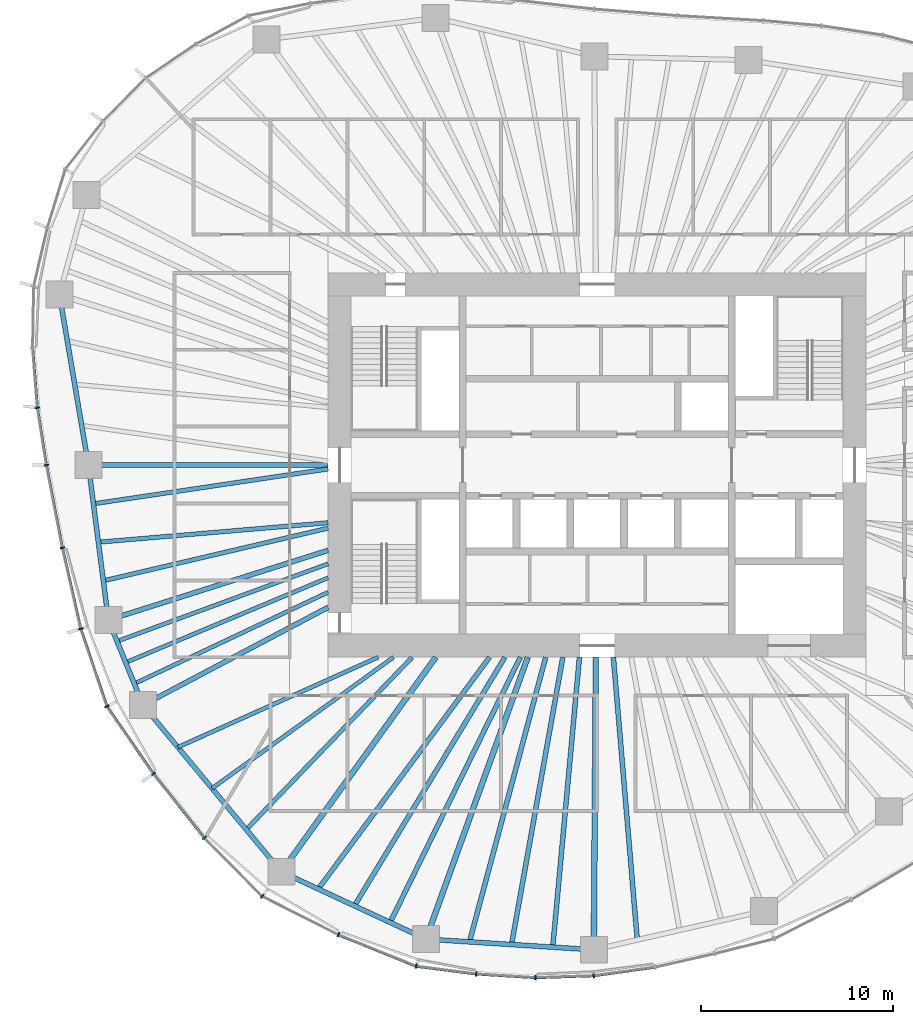
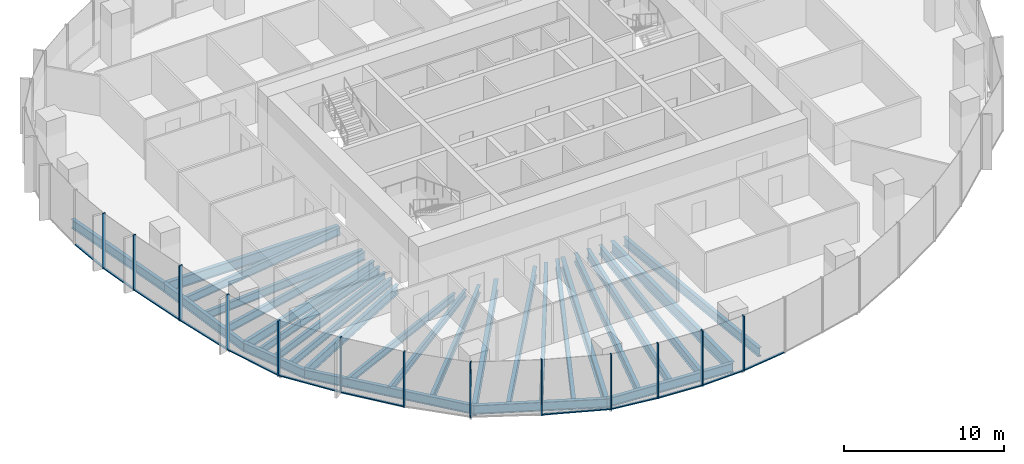
# One storey, part 2 of 18: 28 beams, 25 members, 7 elements without a shape of their own.
"""IFC4 building model written with IfcOpenShell, lengths in metres."""

from ifc_helpers import new_model, si_unit, direction, frame, origin, origin_2d, place, context, subcontext, project, spatial, rectangle, i_section, extrude, material, material_profile, profile_set, type_object, element, aggregate, save


model = new_model("IFC4")

# Units and contexts
model_context = context("Model", 3, precision=1e-05, world=origin(), true_north=direction((0.0, 1.0)))
body_context = subcontext(model_context, "Body", "Model", "MODEL_VIEW")
ifc_project = project(units=[si_unit("LENGTHUNIT", "METRE"), si_unit("AREAUNIT", "SQUARE_METRE"), si_unit("VOLUMEUNIT", "CUBIC_METRE"), si_unit("PLANEANGLEUNIT", "RADIAN"), si_unit("MASSUNIT", "GRAM", prefix="KILO")], contexts=[model_context])

# Site, building, storey
site_placement = place(None, origin())
site = spatial("IfcSite", under=ifc_project, at=site_placement, CompositionType="ELEMENT")
building_placement = place(site_placement, origin())
building = spatial("IfcBuilding", under=site, at=building_placement, Name="Ghaith Harvest Tower", CompositionType="ELEMENT")
storey_placement = place(building_placement, frame((0.0, 0.0, 168.0)))
storey = spatial("IfcBuildingStorey", under=building, at=storey_placement, Name="L36", CompositionType="ELEMENT", Elevation=168.0)

# Curtain wall, member
ifc_material_1 = material(Name="Black anodised aluminium and fritted glass", Category="aluminium")
curtain_wall_type = type_object("IfcCurtainWallType", Name="CW-L CURTAIN WALL", PredefinedType="NOTDEFINED", material=ifc_material_1)
curtain_wall_1_placement = place(storey_placement, origin())
curtain_wall_1 = element("IfcCurtainWall", 1, at=curtain_wall_1_placement, inside=storey, type_object=curtain_wall_type, Name="Curtain wall CW-L bay 10 L36", PredefinedType="NOTDEFINED")
ifc_material_2 = material(Name="Aluminium, black anodised", Category="aluminium")
ifc_material_profile_1 = material_profile(ifc_material_2, rectangle(XDim=0.080078125, YDim=0.239990234375, at=origin_2d()), Name="CW-L MULLION 80x240")
ifc_profile_set_1 = profile_set([ifc_material_profile_1], Name="Aluminium, black anodised")
member_type_1 = type_object("IfcMemberType", Name="CW-L MULLION 80x240", PredefinedType="MULLION", material=ifc_profile_set_1)
member_1_placement = place(storey_placement, frame((-29.131103515625, 2.990478515625, 0.0), z_axis=(0.0, 0.0, 1.0), x_axis=(0.116763791346, -0.993159713757, 0.0)))
member_1 = element("IfcMember", 2, at=member_1_placement, type_object=member_type_1, Name="CW-L mullion 3 bay 10 L36", PredefinedType="MULLION", context=body_context, shape_type="SweptSolid", body=[
    extrude(rectangle(XDim=0.080078125, YDim=0.239990234375, at=origin_2d()), origin(), (0.0, 0.0, 1.0), 4.199951171875),
])

# Curtain wall, members
curtain_wall_2_placement = place(storey_placement, origin())
curtain_wall_2 = element("IfcCurtainWall", 3, at=curtain_wall_2_placement, inside=storey, type_object=curtain_wall_type, Name="Curtain wall CW-L bay 11 L36", PredefinedType="NOTDEFINED")
member_2_placement = place(storey_placement, frame((-28.6611328125, 0.0, 0.0), z_axis=(0.0, 0.0, 1.0), x_axis=(0.175827209372, -0.984421044292, 0.0)))
member_2 = element("IfcMember", 4, at=member_2_placement, type_object=member_type_1, Name="CW-L mullion 1 bay 11 L36", PredefinedType="MULLION", context=body_context, shape_type="SweptSolid", body=[
    extrude(rectangle(XDim=0.080078125, YDim=0.239990234375, at=origin_2d()), origin(), (0.0, 0.0, 1.0), 4.199951171875),
])
member_3_placement = place(storey_placement, frame((-27.828125, -4.30419921875, 0.0), z_axis=(0.0, 0.0, 1.0), x_axis=(0.205176300018, -0.978725030798, 0.0)))
member_3 = element("IfcMember", 5, at=member_3_placement, type_object=member_type_1, Name="CW-L mullion 2 bay 11 L36", PredefinedType="MULLION", context=body_context, shape_type="SweptSolid", body=[
    extrude(rectangle(XDim=0.080078125, YDim=0.239990234375, at=origin_2d()), origin(), (0.0, 0.0, 1.0), 4.199951171875),
])

curtain_wall_3_placement = place(storey_placement, origin())
curtain_wall_3 = element("IfcCurtainWall", 6, at=curtain_wall_3_placement, inside=storey, type_object=curtain_wall_type, Name="Curtain wall CW-L bay 12 L36", PredefinedType="NOTDEFINED")
member_4_placement = place(storey_placement, frame((-26.875732421875, -8.517333984375, 0.0), z_axis=(0.0, 0.0, 1.0), x_axis=(0.270018818005, -0.962855045125, 0.0)))
member_4 = element("IfcMember", 7, at=member_4_placement, type_object=member_type_1, Name="CW-L mullion 1 bay 12 L36", PredefinedType="MULLION", context=body_context, shape_type="SweptSolid", body=[
    extrude(rectangle(XDim=0.080078125, YDim=0.239990234375, at=origin_2d()), origin(), (0.0, 0.0, 1.0), 4.199951171875),
])
member_5_placement = place(storey_placement, frame((-25.513427734375, -12.55810546875, 0.0), z_axis=(0.0, 0.0, 1.0), x_axis=(0.448267068681, -0.893899678452, 0.0)))
member_5 = element("IfcMember", 8, at=member_5_placement, type_object=member_type_1, Name="CW-L mullion 2 bay 12 L36", PredefinedType="MULLION", context=body_context, shape_type="SweptSolid", body=[
    extrude(rectangle(XDim=0.080078125, YDim=0.239990234375, at=origin_2d()), origin(), (0.0, 0.0, 1.0), 4.199951171875),
])

curtain_wall_4_placement = place(storey_placement, origin())
curtain_wall_4 = element("IfcCurtainWall", 9, at=curtain_wall_4_placement, inside=storey, type_object=curtain_wall_type, Name="Curtain wall CW-L bay 13 L36", PredefinedType="NOTDEFINED")
member_6_placement = place(storey_placement, frame((-23.090087890625, -16.066162109375, 0.0), z_axis=(0.0, 0.0, 1.0), x_axis=(0.595740202191, -0.803177198066, 0.0)))
member_6 = element("IfcMember", 10, at=member_6_placement, type_object=member_type_1, Name="CW-L mullion 1 bay 13 L36", PredefinedType="MULLION", context=body_context, shape_type="SweptSolid", body=[
    extrude(rectangle(XDim=0.080078125, YDim=0.239990234375, at=origin_2d()), origin(), (0.0, 0.0, 1.0), 4.199951171875),
])
member_7_placement = place(storey_placement, frame((-20.441162109375, -19.396728515625, 0.0), z_axis=(0.0, 0.0, 1.0), x_axis=(0.663764675537, -0.747941478666, 0.0)))
member_7 = element("IfcMember", 11, at=member_7_placement, type_object=member_type_1, Name="CW-L mullion 2 bay 13 L36", PredefinedType="MULLION", context=body_context, shape_type="SweptSolid", body=[
    extrude(rectangle(XDim=0.080078125, YDim=0.239990234375, at=origin_2d()), origin(), (0.0, 0.0, 1.0), 4.199951171875),
])

curtain_wall_5_placement = place(storey_placement, origin())
curtain_wall_5 = element("IfcCurtainWall", 12, at=curtain_wall_5_placement, inside=storey, type_object=curtain_wall_type, Name="Curtain wall CW-L bay 14 L36", PredefinedType="NOTDEFINED")
member_8_placement = place(storey_placement, frame((-17.430419921875, -22.443603515625, 0.0), z_axis=(0.0, 0.0, 1.0), x_axis=(0.810339399222, -0.585960799089, 0.0)))
member_8 = element("IfcMember", 13, at=member_8_placement, type_object=member_type_1, Name="CW-L mullion 1 bay 14 L36", PredefinedType="MULLION", context=body_context, shape_type="SweptSolid", body=[
    extrude(rectangle(XDim=0.080078125, YDim=0.239990234375, at=origin_2d()), origin(), (0.0, 0.0, 1.0), 4.199951171875),
])
member_9_placement = place(storey_placement, frame((-13.463134765625, -24.4423828125, 0.0), z_axis=(0.0, 0.0, 1.0), x_axis=(0.910648017946, -0.413182995066, 0.0)))
member_9 = element("IfcMember", 14, at=member_9_placement, type_object=member_type_1, Name="CW-L mullion 2 bay 14 L36", PredefinedType="MULLION", context=body_context, shape_type="SweptSolid", body=[
    extrude(rectangle(XDim=0.080078125, YDim=0.239990234375, at=origin_2d()), origin(), (0.0, 0.0, 1.0), 4.199951171875),
])

curtain_wall_6_placement = place(storey_placement, origin())
curtain_wall_6 = element("IfcCurtainWall", 15, at=curtain_wall_6_placement, inside=storey, type_object=curtain_wall_type, Name="Curtain wall CW-L bay 15 L36", PredefinedType="NOTDEFINED")
member_10_placement = place(storey_placement, frame((-9.4189453125, -26.07861328125, 0.0), z_axis=(0.0, 0.0, 1.0), x_axis=(0.961788606004, -0.273793128768, 0.0)))
member_10 = element("IfcMember", 16, at=member_10_placement, type_object=member_type_1, Name="CW-L mullion 1 bay 15 L36", PredefinedType="MULLION", context=body_context, shape_type="SweptSolid", body=[
    extrude(rectangle(XDim=0.080078125, YDim=0.239990234375, at=origin_2d()), origin(), (0.0, 0.0, 1.0), 4.199951171875),
])
member_11_placement = place(storey_placement, frame((-6.29443359375, -26.483154296875, 0.0), z_axis=(0.0, 0.0, 1.0), x_axis=(0.995389243171, -0.095917957546, 0.0)))
member_11 = element("IfcMember", 17, at=member_11_placement, type_object=member_type_1, Name="CW-L mullion 2 bay 15 L36", PredefinedType="MULLION", context=body_context, shape_type="SweptSolid", body=[
    extrude(rectangle(XDim=0.080078125, YDim=0.239990234375, at=origin_2d()), origin(), (0.0, 0.0, 1.0), 4.199951171875),
])
member_12_placement = place(storey_placement, frame((-3.21923828125, -26.676025390625, 0.0), z_axis=(0.0, 0.0, 1.0), x_axis=(0.999890531495, -0.014796115241, 0.0)))
member_12 = element("IfcMember", 18, at=member_12_placement, type_object=member_type_1, Name="CW-L mullion 3 bay 15 L36", PredefinedType="MULLION", context=body_context, shape_type="SweptSolid", body=[
    extrude(rectangle(XDim=0.080078125, YDim=0.239990234375, at=origin_2d()), origin(), (0.0, 0.0, 1.0), 4.199951171875),
])

# Curtain wall, member
curtain_wall_7_placement = place(storey_placement, origin())
curtain_wall_7 = element("IfcCurtainWall", 19, at=curtain_wall_7_placement, inside=storey, type_object=curtain_wall_type, Name="Curtain wall CW-L bay 16 L36", PredefinedType="NOTDEFINED")
member_13_placement = place(storey_placement, frame((-0.181884765625, -26.57373046875, 0.0), z_axis=(0.0, 0.0, 1.0), x_axis=(0.996169227662, 0.087446382772, 0.0)))
member_13 = element("IfcMember", 20, at=member_13_placement, type_object=member_type_1, Name="CW-L mullion 1 bay 16 L36", PredefinedType="MULLION", context=body_context, shape_type="SweptSolid", body=[
    extrude(rectangle(XDim=0.080078125, YDim=0.239990234375, at=origin_2d()), origin(), (0.0, 0.0, 1.0), 4.199951171875),
])

# Member
ifc_material_3 = material(Name="Aluminium, black anodised", Category="aluminium")
ifc_material_profile_2 = material_profile(ifc_material_3, rectangle(XDim=0.14990234375, YDim=0.080078125, at=origin_2d()), Name="CW-L TRANSOM 150x80")
ifc_profile_set_2 = profile_set([ifc_material_profile_2], Name="Aluminium, black anodised")
member_type_2 = type_object("IfcMemberType", Name="CW-L TRANSOM 150x80", PredefinedType="USERDEFINED", material=ifc_profile_set_2)
member_14_placement = place(storey_placement, frame((-29.374755859375, 6.05615234375, 0.0400390625), z_axis=(0.079230491279, -0.996856323274, 0.0), x_axis=(0.996856323274, 0.079230491279, 0.0)))
member_14 = element("IfcMember", 21, at=member_14_placement, type_object=member_type_2, Name="CW-L transom 2 bay 10 L36", ObjectType="TRANSOM", PredefinedType="USERDEFINED", context=body_context, shape_type="SweptSolid", body=[
    extrude(rectangle(XDim=0.14990234375, YDim=0.080078125, at=origin_2d()), origin(), (0.0, 0.0, 1.0), 3.03515625),
])

member_15_placement = place(storey_placement, frame((-29.124755859375, 2.951171875, 0.0400390625), z_axis=(0.155150065502, -0.987890913601, 0.0), x_axis=(0.987890913601, 0.155150065502, 0.0)))
member_15 = element("IfcMember", 22, at=member_15_placement, type_object=member_type_2, Name="CW-L transom 3 bay 10 L36", ObjectType="TRANSOM", PredefinedType="USERDEFINED", context=body_context, shape_type="SweptSolid", body=[
    extrude(rectangle(XDim=0.14990234375, YDim=0.080078125, at=origin_2d()), origin(), (0.0, 0.0, 1.0), 2.947265625),
])

aggregate(curtain_wall_1, [member_14, member_1, member_15])

member_16_placement = place(storey_placement, frame((-28.653564453125, -0.039306640625, 0.0400390625), z_axis=(0.190025434036, -0.981779167848, 0.0), x_axis=(0.981779167848, 0.190025434036, 0.0)))
member_16 = element("IfcMember", 23, at=member_16_placement, type_object=member_type_2, Name="CW-L transom 1 bay 11 L36", ObjectType="TRANSOM", PredefinedType="USERDEFINED", context=body_context, shape_type="SweptSolid", body=[
    extrude(rectangle(XDim=0.14990234375, YDim=0.080078125, at=origin_2d()), origin(), (0.0, 0.0, 1.0), 4.303955078125),
])

member_17_placement = place(storey_placement, frame((-27.8193359375, -4.34326171875, 0.0400390625), z_axis=(0.220508326041, -0.975385092231, 0.0), x_axis=(0.975385092231, 0.220508326041, 0.0)))
member_17 = element("IfcMember", 24, at=member_17_placement, type_object=member_type_2, Name="CW-L transom 2 bay 11 L36", ObjectType="TRANSOM", PredefinedType="USERDEFINED", context=body_context, shape_type="SweptSolid", body=[
    extrude(rectangle(XDim=0.14990234375, YDim=0.080078125, at=origin_2d()), origin(), (0.0, 0.0, 1.0), 4.2392578125),
])

aggregate(curtain_wall_2, [member_2, member_16, member_3, member_17])

member_18_placement = place(storey_placement, frame((-26.863037109375, -8.55517578125, 0.0400390625), z_axis=(0.319499057133, -0.947586593664, 0.0), x_axis=(0.947586593664, 0.319499057133, 0.0)))
member_18 = element("IfcMember", 25, at=member_18_placement, type_object=member_type_2, Name="CW-L transom 1 bay 12 L36", ObjectType="TRANSOM", PredefinedType="USERDEFINED", context=body_context, shape_type="SweptSolid", body=[
    extrude(rectangle(XDim=0.14990234375, YDim=0.080078125, at=origin_2d()), origin(), (0.0, 0.0, 1.0), 4.184326171875),
])

member_19_placement = place(storey_placement, frame((-25.49072265625, -12.591064453125, 0.0400390625), z_axis=(0.568360052499, -0.822779952796, 0.0), x_axis=(0.822779952796, 0.568360052499, 0.0)))
member_19 = element("IfcMember", 26, at=member_19_placement, type_object=member_type_2, Name="CW-L transom 2 bay 12 L36", ObjectType="TRANSOM", PredefinedType="USERDEFINED", context=body_context, shape_type="SweptSolid", body=[
    extrude(rectangle(XDim=0.14990234375, YDim=0.080078125, at=origin_2d()), origin(), (0.0, 0.0, 1.0), 4.183837890625),
])

aggregate(curtain_wall_3, [member_4, member_18, member_5, member_19])

member_20_placement = place(storey_placement, frame((-23.065185546875, -16.09765625, 0.0400390625), z_axis=(0.622510542814, -0.782611413209, 0.0), x_axis=(0.782611413209, 0.622510542814, 0.0)))
member_20 = element("IfcMember", 27, at=member_20_placement, type_object=member_type_2, Name="CW-L transom 1 bay 13 L36", ObjectType="TRANSOM", PredefinedType="USERDEFINED", context=body_context, shape_type="SweptSolid", body=[
    extrude(rectangle(XDim=0.14990234375, YDim=0.080078125, at=origin_2d()), origin(), (0.0, 0.0, 1.0), 4.17529296875),
])

aggregate(curtain_wall_4, [member_6, member_20, member_7])

member_21_placement = place(storey_placement, frame((-13.426025390625, -24.45751953125, 0.0400390625), z_axis=(0.92700297754, -0.375053968959, 0.0), x_axis=(0.375053968959, 0.92700297754, 0.0)))
member_21 = element("IfcMember", 28, at=member_21_placement, type_object=member_type_2, Name="CW-L transom 2 bay 14 L36", ObjectType="TRANSOM", PredefinedType="USERDEFINED", context=body_context, shape_type="SweptSolid", body=[
    extrude(rectangle(XDim=0.14990234375, YDim=0.080078125, at=origin_2d()), origin(), (0.0, 0.0, 1.0), 4.282470703125),
])

aggregate(curtain_wall_5, [member_8, member_9, member_21])

member_22_placement = place(storey_placement, frame((-9.37939453125, -26.083740234375, 0.0400390625), z_axis=(0.991722765635, -0.128397648429, 0.0), x_axis=(0.128397648429, 0.991722765635, 0.0)))
member_22 = element("IfcMember", 29, at=member_22_placement, type_object=member_type_2, Name="CW-L transom 1 bay 15 L36", ObjectType="TRANSOM", PredefinedType="USERDEFINED", context=body_context, shape_type="SweptSolid", body=[
    extrude(rectangle(XDim=0.14990234375, YDim=0.080078125, at=origin_2d()), origin(), (0.0, 0.0, 1.0), 3.07080078125),
])

member_23_placement = place(storey_placement, frame((-6.25439453125, -26.485595703125, 0.0400390625), z_axis=(0.998036402434, -0.062636566132, 0.0), x_axis=(0.062636566132, 0.998036402434, 0.0)))
member_23 = element("IfcMember", 30, at=member_23_placement, type_object=member_type_2, Name="CW-L transom 2 bay 15 L36", ObjectType="TRANSOM", PredefinedType="USERDEFINED", context=body_context, shape_type="SweptSolid", body=[
    extrude(rectangle(XDim=0.14990234375, YDim=0.080078125, at=origin_2d()), origin(), (0.0, 0.0, 1.0), 3.001220703125),
])

member_24_placement = place(storey_placement, frame((-3.17919921875, -26.6748046875, 0.0400390625), z_axis=(0.999430436664, 0.033746144522, 0.0), x_axis=(-0.033746144522, 0.999430436664, 0.0)))
member_24 = element("IfcMember", 31, at=member_24_placement, type_object=member_type_2, Name="CW-L transom 3 bay 15 L36", ObjectType="TRANSOM", PredefinedType="USERDEFINED", context=body_context, shape_type="SweptSolid", body=[
    extrude(rectangle(XDim=0.14990234375, YDim=0.080078125, at=origin_2d()), origin(), (0.0, 0.0, 1.0), 2.958984375),
])

aggregate(curtain_wall_6, [member_10, member_22, member_11, member_23, member_12, member_24])

member_25_placement = place(storey_placement, frame((-0.142333984375, -26.568115234375, 0.0400390625), z_axis=(0.990446640965, 0.137896524254, 0.0), x_axis=(-0.137896524254, 0.990446640965, 0.0)))
member_25 = element("IfcMember", 32, at=member_25_placement, type_object=member_type_2, Name="CW-L transom 1 bay 16 L36", ObjectType="TRANSOM", PredefinedType="USERDEFINED", context=body_context, shape_type="SweptSolid", body=[
    extrude(rectangle(XDim=0.14990234375, YDim=0.080078125, at=origin_2d()), origin(), (0.0, 0.0, 1.0), 3.142578125),
])

aggregate(curtain_wall_7, [member_13, member_25])

# Beams
ifc_material_4 = material(Name="Steel ASTM A992 Grade 50", Category="steel")
ifc_material_profile_3 = material_profile(ifc_material_4, i_section(OverallWidth=0.25390625, OverallDepth=0.68408203125, WebThickness=0.012451171875, FlangeThickness=0.018798828125, at=origin_2d()), Name="W690X140")
ifc_profile_set_3 = profile_set([ifc_material_profile_3], Name="Steel ASTM A992 Grade 50")
beam_type_1 = type_object("IfcBeamType", Name="E690-140 W690X140", PredefinedType="SPANDREL", material=ifc_profile_set_3)
beam_1_placement = place(storey_placement, frame((-27.98291015625, 8.867919921875, -0.511962890625), z_axis=(0.167624246844, -0.985850958244, 0.0), x_axis=(0.985850958244, 0.167624246844, 0.0)))
element("IfcBeam", 33, at=beam_1_placement, inside=storey, type_object=beam_type_1, Name="Edge beam E10 L36", PredefinedType="SPANDREL", context=body_context, shape_type="SweptSolid", body=[
    extrude(i_section(OverallWidth=0.25390625, OverallDepth=0.68408203125, WebThickness=0.012451171875, FlangeThickness=0.018798828125, at=origin_2d()), origin(), (0.0, 0.0, 1.0), 8.9951171875),
])
beam_2_placement = place(storey_placement, frame((-26.47509765625, 0.0, -0.511962890625), z_axis=(0.127841715048, -0.991794583517, 0.0), x_axis=(0.991794583517, 0.127841715048, 0.0)))
element("IfcBeam", 34, at=beam_2_placement, inside=storey, type_object=beam_type_1, Name="Edge beam E11 L36", PredefinedType="SPANDREL", context=body_context, shape_type="SweptSolid", body=[
    extrude(i_section(OverallWidth=0.25390625, OverallDepth=0.68408203125, WebThickness=0.012451171875, FlangeThickness=0.018798828125, at=origin_2d()), origin(), (0.0, 0.0, 1.0), 8.127685546875),
])
beam_3_placement = place(storey_placement, frame((-25.43603515625, -8.06103515625, -0.511962890625), z_axis=(0.376479712052, -0.9264248628, 0.0), x_axis=(0.9264248628, 0.376479712052, 0.0)))
element("IfcBeam", 35, at=beam_3_placement, inside=storey, type_object=beam_type_1, Name="Edge beam E12 L36", PredefinedType="SPANDREL", context=body_context, shape_type="SweptSolid", body=[
    extrude(i_section(OverallWidth=0.25390625, OverallDepth=0.68408203125, WebThickness=0.012451171875, FlangeThickness=0.018798828125, at=origin_2d()), origin(), (0.0, 0.0, 1.0), 4.783935546875),
])
beam_4_placement = place(storey_placement, frame((-23.635009765625, -12.492919921875, -0.511962890625), z_axis=(0.638719320052, -0.769439815835, 0.0), x_axis=(0.769439815835, 0.638719320052, 0.0)))
element("IfcBeam", 36, at=beam_4_placement, inside=storey, type_object=beam_type_1, Name="Edge beam E13 L36", PredefinedType="SPANDREL", context=body_context, shape_type="SweptSolid", body=[
    extrude(i_section(OverallWidth=0.25390625, OverallDepth=0.68408203125, WebThickness=0.012451171875, FlangeThickness=0.018798828125, at=origin_2d()), origin(), (0.0, 0.0, 1.0), 11.26953125),
])
beam_5_placement = place(storey_placement, frame((-16.43701171875, -21.1640625, -0.511962890625), z_axis=(0.906607079462, -0.421975832802, 0.0), x_axis=(0.421975832802, 0.906607079462, 0.0)))
element("IfcBeam", 37, at=beam_5_placement, inside=storey, type_object=beam_type_1, Name="Edge beam E14 L36", PredefinedType="SPANDREL", context=body_context, shape_type="SweptSolid", body=[
    extrude(i_section(OverallWidth=0.25390625, OverallDepth=0.68408203125, WebThickness=0.012451171875, FlangeThickness=0.018798828125, at=origin_2d()), origin(), (0.0, 0.0, 1.0), 8.303466796875),
])
beam_6_placement = place(storey_placement, frame((-8.908935546875, -24.66796875, -0.511962890625), z_axis=(0.99797963184, -0.063534671101, 0.0), x_axis=(0.063534671101, 0.99797963184, 0.0)))
element("IfcBeam", 38, at=beam_6_placement, inside=storey, type_object=beam_type_1, Name="Edge beam E15 L36", PredefinedType="SPANDREL", context=body_context, shape_type="SweptSolid", body=[
    extrude(i_section(OverallWidth=0.25390625, OverallDepth=0.68408203125, WebThickness=0.012451171875, FlangeThickness=0.018798828125, at=origin_2d()), origin(), (0.0, 0.0, 1.0), 8.75341796875),
])
ifc_material_5 = material(Name="Steel ASTM A992 Grade 50", Category="steel")
ifc_material_profile_4 = material_profile(ifc_material_5, i_section(OverallWidth=0.256103515625, OverallDepth=0.693115234375, WebThickness=0.014404296875, FlangeThickness=0.023681640625, at=origin_2d()), Name="W690X170")
ifc_profile_set_4 = profile_set([ifc_material_profile_4], Name="Steel ASTM A992 Grade 50")
beam_type_2 = type_object("IfcBeamType", Name="G690-170 W690X170", PredefinedType="BEAM", material=ifc_profile_set_4)
beam_7_placement = place(storey_placement, frame((-14.0, -4.43701171875, -0.5166015625), z_axis=(-0.953279533519, -0.302089607522, 0.0), x_axis=(0.302089607522, -0.953279533519, 0.0)))
element("IfcBeam", 39, at=beam_7_placement, inside=storey, type_object=beam_type_2, Name="Radial girder G12 L36", PredefinedType="BEAM", context=body_context, shape_type="SweptSolid", body=[
    extrude(i_section(OverallWidth=0.256103515625, OverallDepth=0.693115234375, WebThickness=0.014404296875, FlangeThickness=0.023681640625, at=origin_2d()), origin(), (0.0, 0.0, 1.0), 11.99658203125),
])
beam_8_placement = place(storey_placement, frame((-14.0, -7.39990234375, -0.5166015625), z_axis=(-0.884086346066, -0.467323584576, 0.0), x_axis=(0.467323584576, -0.884086346066, 0.0)))
element("IfcBeam", 40, at=beam_8_placement, inside=storey, type_object=beam_type_2, Name="Radial girder G13 L36", PredefinedType="BEAM", context=body_context, shape_type="SweptSolid", body=[
    extrude(i_section(OverallWidth=0.256103515625, OverallDepth=0.693115234375, WebThickness=0.014404296875, FlangeThickness=0.023681640625, at=origin_2d()), origin(), (0.0, 0.0, 1.0), 10.898193359375),
])
ifc_material_6 = material(Name="Steel ASTM A992 Grade 50", Category="steel")
ifc_material_profile_5 = material_profile(ifc_material_6, i_section(OverallWidth=0.26806640625, OverallDepth=0.77001953125, WebThickness=0.015625, FlangeThickness=0.025390625, at=origin_2d()), Name="W760X196")
ifc_profile_set_5 = profile_set([ifc_material_profile_5], Name="Steel ASTM A992 Grade 50")
beam_type_3 = type_object("IfcBeamType", Name="G760-196 W760X196", PredefinedType="BEAM", material=ifc_profile_set_5)
beam_9_placement = place(storey_placement, frame((-14.0, 0.0, -0.554931640625), z_axis=(-1.0, 0.0, 0.0), x_axis=(0.0, -1.0, 0.0)))
element("IfcBeam", 41, at=beam_9_placement, inside=storey, type_object=beam_type_3, Name="Radial girder G11 L36", PredefinedType="BEAM", context=body_context, shape_type="SweptSolid", body=[
    extrude(i_section(OverallWidth=0.26806640625, OverallDepth=0.77001953125, WebThickness=0.015625, FlangeThickness=0.025390625, at=origin_2d()), origin(), (0.0, 0.0, 1.0), 12.47509765625),
])
ifc_material_7 = material(Name="Steel ASTM A992 Grade 50", Category="steel")
ifc_material_profile_6 = material_profile(ifc_material_7, i_section(OverallWidth=0.2939453125, OverallDepth=0.85107421875, WebThickness=0.01611328125, FlangeThickness=0.02685546875, at=origin_2d()), Name="W840X226")
ifc_profile_set_6 = profile_set([ifc_material_profile_6], Name="Steel ASTM A992 Grade 50")
beam_type_4 = type_object("IfcBeamType", Name="G840-226 W840X226", PredefinedType="BEAM", material=ifc_profile_set_6)
beam_10_placement = place(storey_placement, frame((-8.39990234375, -10.0, -0.595458984375), z_axis=(-0.584256100809, -0.811569349265, 0.0), x_axis=(0.811569349265, -0.584256100809, 0.0)))
element("IfcBeam", 42, at=beam_10_placement, inside=storey, type_object=beam_type_4, Name="Radial girder G14 L36", PredefinedType="BEAM", context=body_context, shape_type="SweptSolid", body=[
    extrude(i_section(OverallWidth=0.2939453125, OverallDepth=0.85107421875, WebThickness=0.01611328125, FlangeThickness=0.02685546875, at=origin_2d()), origin(), (0.0, 0.0, 1.0), 13.756103515625),
])
beam_11_placement = place(storey_placement, frame((-3.61181640625, -10.0, -0.595458984375), z_axis=(-0.339664467784, -0.940546675782, 0.0), x_axis=(0.940546675782, -0.339664467784, 0.0)))
element("IfcBeam", 43, at=beam_11_placement, inside=storey, type_object=beam_type_4, Name="Radial girder G15 L36", PredefinedType="BEAM", context=body_context, shape_type="SweptSolid", body=[
    extrude(i_section(OverallWidth=0.2939453125, OverallDepth=0.85107421875, WebThickness=0.01611328125, FlangeThickness=0.02685546875, at=origin_2d()), origin(), (0.0, 0.0, 1.0), 15.59521484375),
])
beam_12_placement = place(storey_placement, frame((-0.068359375, -10.0, -0.595458984375), z_axis=(-0.006879467722, -0.999976336182, 0.0), x_axis=(0.999976336182, -0.006879467722, 0.0)))
element("IfcBeam", 44, at=beam_12_placement, inside=storey, type_object=beam_type_4, Name="Radial girder G16 L36", PredefinedType="BEAM", context=body_context, shape_type="SweptSolid", body=[
    extrude(i_section(OverallWidth=0.2939453125, OverallDepth=0.85107421875, WebThickness=0.01611328125, FlangeThickness=0.02685546875, at=origin_2d()), origin(), (0.0, 0.0, 1.0), 15.224365234375),
])
ifc_material_8 = material(Name="Steel ASTM A992 Grade 50", Category="steel")
ifc_material_profile_7 = material_profile(ifc_material_8, i_section(OverallWidth=0.2109375, OverallDepth=0.5390625, WebThickness=0.01171875, FlangeThickness=0.018798828125, at=origin_2d()), Name="W530X109")
ifc_profile_set_7 = profile_set([ifc_material_profile_7], Name="Steel ASTM A992 Grade 50")
beam_type_5 = type_object("IfcBeamType", Name="J530-109 W530X109", PredefinedType="JOIST", material=ifc_profile_set_7)
beam_13_placement = place(storey_placement, frame((-14.0, -5.137939453125, -0.439453125), z_axis=(-0.938774452531, -0.344532331247, 0.0), x_axis=(0.344532331247, -0.938774452531, 0.0)))
element("IfcBeam", 45, at=beam_13_placement, inside=storey, type_object=beam_type_5, Name="Joist J12.1 L36", PredefinedType="JOIST", context=body_context, shape_type="SweptSolid", body=[
    extrude(i_section(OverallWidth=0.2109375, OverallDepth=0.5390625, WebThickness=0.01171875, FlangeThickness=0.018798828125, at=origin_2d()), origin(), (0.0, 0.0, 1.0), 11.7021484375),
])
beam_14_placement = place(storey_placement, frame((-14.0, -5.862548828125, -0.439453125), z_axis=(-0.922385564947, -0.386270461693, 0.0), x_axis=(0.386270461693, -0.922385564947, 0.0)))
element("IfcBeam", 46, at=beam_14_placement, inside=storey, type_object=beam_type_5, Name="Joist J12.2 L36", PredefinedType="JOIST", context=body_context, shape_type="SweptSolid", body=[
    extrude(i_section(OverallWidth=0.2109375, OverallDepth=0.5390625, WebThickness=0.01171875, FlangeThickness=0.018798828125, at=origin_2d()), origin(), (0.0, 0.0, 1.0), 11.4228515625),
])
beam_15_placement = place(storey_placement, frame((-14.0, -6.614990234375, -0.439453125), z_axis=(-0.904150042111, -0.427215052815, 0.0), x_axis=(0.427215052815, -0.904150042111, 0.0)))
element("IfcBeam", 47, at=beam_15_placement, inside=storey, type_object=beam_type_5, Name="Joist J12.3 L36", PredefinedType="JOIST", context=body_context, shape_type="SweptSolid", body=[
    extrude(i_section(OverallWidth=0.2109375, OverallDepth=0.5390625, WebThickness=0.01171875, FlangeThickness=0.018798828125, at=origin_2d()), origin(), (0.0, 0.0, 1.0), 11.15625),
])
beam_16_placement = place(storey_placement, frame((-11.39990234375, -10.0, -0.439453125), z_axis=(-0.912147734774, -0.409861574127, 0.0), x_axis=(0.409861574127, -0.912147734774, 0.0)))
element("IfcBeam", 48, at=beam_16_placement, inside=storey, type_object=beam_type_5, Name="Joist J13.1 L36", PredefinedType="JOIST", context=body_context, shape_type="SweptSolid", body=[
    extrude(i_section(OverallWidth=0.2109375, OverallDepth=0.5390625, WebThickness=0.01171875, FlangeThickness=0.018798828125, at=origin_2d()), origin(), (0.0, 0.0, 1.0), 11.421875),
])
beam_17_placement = place(storey_placement, frame((-10.60009765625, -10.0, -0.439453125), z_axis=(-0.810452010932, -0.5858050341, 0.0), x_axis=(0.5858050341, -0.810452010932, 0.0)))
element("IfcBeam", 49, at=beam_17_placement, inside=storey, type_object=beam_type_5, Name="Joist J13.2 L36", PredefinedType="JOIST", context=body_context, shape_type="SweptSolid", body=[
    extrude(i_section(OverallWidth=0.2109375, OverallDepth=0.5390625, WebThickness=0.01171875, FlangeThickness=0.018798828125, at=origin_2d()), origin(), (0.0, 0.0, 1.0), 11.64794921875),
])
ifc_material_9 = material(Name="Steel ASTM A992 Grade 50", Category="steel")
ifc_material_profile_8 = material_profile(ifc_material_9, i_section(OverallWidth=0.22900390625, OverallDepth=0.612060546875, WebThickness=0.011962890625, FlangeThickness=0.01953125, at=origin_2d()), Name="W610X125")
ifc_profile_set_8 = profile_set([ifc_material_profile_8], Name="Steel ASTM A992 Grade 50")
beam_type_6 = type_object("IfcBeamType", Name="J610-125 W610X125", PredefinedType="JOIST", material=ifc_profile_set_8)
beam_18_placement = place(storey_placement, frame((-14.0, -0.199951171875, -0.47607421875), z_axis=(-0.989135422742, -0.147007195321, 0.0), x_axis=(0.147007195321, -0.989135422742, 0.0)))
element("IfcBeam", 50, at=beam_18_placement, inside=storey, type_object=beam_type_6, Name="Joist J11.1 L36", PredefinedType="JOIST", context=body_context, shape_type="SweptSolid", body=[
    extrude(i_section(OverallWidth=0.22900390625, OverallDepth=0.612060546875, WebThickness=0.011962890625, FlangeThickness=0.01953125, at=origin_2d()), origin(), (0.0, 0.0, 1.0), 12.349365234375),
])
beam_19_placement = place(storey_placement, frame((-14.0, -3.0, -0.47607421875), z_axis=(-0.996417474722, -0.0845707755, 0.0), x_axis=(0.0845707755, -0.996417474722, 0.0)))
element("IfcBeam", 51, at=beam_19_placement, inside=storey, type_object=beam_type_6, Name="Joist J11.2 L36", PredefinedType="JOIST", context=body_context, shape_type="SweptSolid", body=[
    extrude(i_section(OverallWidth=0.22900390625, OverallDepth=0.612060546875, WebThickness=0.011962890625, FlangeThickness=0.01953125, at=origin_2d()), origin(), (0.0, 0.0, 1.0), 12.00048828125),
])
beam_20_placement = place(storey_placement, frame((-14.0, -3.280517578125, -0.47607421875), z_axis=(-0.973624350862, -0.228157014813, 0.0), x_axis=(0.228157014813, -0.973624350862, 0.0)))
element("IfcBeam", 52, at=beam_20_placement, inside=storey, type_object=beam_type_6, Name="Joist J11.3 L36", PredefinedType="JOIST", context=body_context, shape_type="SweptSolid", body=[
    extrude(i_section(OverallWidth=0.22900390625, OverallDepth=0.612060546875, WebThickness=0.011962890625, FlangeThickness=0.01953125, at=origin_2d()), origin(), (0.0, 0.0, 1.0), 12.015625),
])
beam_21_placement = place(storey_placement, frame((-9.626708984375, -10.0, -0.47607421875), z_axis=(-0.693534641621, -0.720423278963, 0.0), x_axis=(0.720423278963, -0.693534641621, 0.0)))
element("IfcBeam", 53, at=beam_21_placement, inside=storey, type_object=beam_type_6, Name="Joist J13.3 L36", PredefinedType="JOIST", context=body_context, shape_type="SweptSolid", body=[
    extrude(i_section(OverallWidth=0.22900390625, OverallDepth=0.612060546875, WebThickness=0.011962890625, FlangeThickness=0.01953125, at=origin_2d()), origin(), (0.0, 0.0, 1.0), 12.4482421875),
])
ifc_material_10 = material(Name="Steel ASTM A992 Grade 50", Category="steel")
ifc_material_profile_9 = material_profile(ifc_material_10, i_section(OverallWidth=0.25390625, OverallDepth=0.68408203125, WebThickness=0.012451171875, FlangeThickness=0.018798828125, at=origin_2d()), Name="W690X140")
ifc_profile_set_9 = profile_set([ifc_material_profile_9], Name="Steel ASTM A992 Grade 50")
beam_type_7 = type_object("IfcBeamType", Name="J690-140 W690X140", PredefinedType="JOIST", material=ifc_profile_set_9)
beam_22_placement = place(storey_placement, frame((-5.60009765625, -10.0, -0.511962890625), z_axis=(-0.59434024765, -0.804213696739, 0.0), x_axis=(0.804213696739, -0.59434024765, 0.0)))
element("IfcBeam", 54, at=beam_22_placement, inside=storey, type_object=beam_type_7, Name="Joist J14.1 L36", PredefinedType="JOIST", context=body_context, shape_type="SweptSolid", body=[
    extrude(i_section(OverallWidth=0.25390625, OverallDepth=0.68408203125, WebThickness=0.012451171875, FlangeThickness=0.018798828125, at=origin_2d()), origin(), (0.0, 0.0, 1.0), 14.995849609375),
])
beam_23_placement = place(storey_placement, frame((-4.800048828125, -10.0, -0.511962890625), z_axis=(-0.517986442874, -0.855388826791, 0.0), x_axis=(0.855388826791, -0.517986442874, 0.0)))
element("IfcBeam", 55, at=beam_23_placement, inside=storey, type_object=beam_type_7, Name="Joist J14.2 L36", PredefinedType="JOIST", context=body_context, shape_type="SweptSolid", body=[
    extrude(i_section(OverallWidth=0.25390625, OverallDepth=0.68408203125, WebThickness=0.012451171875, FlangeThickness=0.018798828125, at=origin_2d()), origin(), (0.0, 0.0, 1.0), 15.12158203125),
])
beam_24_placement = place(storey_placement, frame((-4.0, -10.0, -0.511962890625), z_axis=(-0.440562898219, -0.897721745706, 0.0), x_axis=(0.897721745706, -0.440562898219, 0.0)))
element("IfcBeam", 56, at=beam_24_placement, inside=storey, type_object=beam_type_7, Name="Joist J14.3 L36", PredefinedType="JOIST", context=body_context, shape_type="SweptSolid", body=[
    extrude(i_section(OverallWidth=0.25390625, OverallDepth=0.68408203125, WebThickness=0.012451171875, FlangeThickness=0.018798828125, at=origin_2d()), origin(), (0.0, 0.0, 1.0), 15.372802734375),
])
beam_25_placement = place(storey_placement, frame((-2.677978515625, -10.0, -0.511962890625), z_axis=(-0.258693109612, -0.965959561803, 0.0), x_axis=(0.965959561803, -0.258693109612, 0.0)))
element("IfcBeam", 57, at=beam_25_placement, inside=storey, type_object=beam_type_7, Name="Joist J15.1 L36", PredefinedType="JOIST", context=body_context, shape_type="SweptSolid", body=[
    extrude(i_section(OverallWidth=0.25390625, OverallDepth=0.68408203125, WebThickness=0.012451171875, FlangeThickness=0.018798828125, at=origin_2d()), origin(), (0.0, 0.0, 1.0), 15.333984375),
])
beam_26_placement = place(storey_placement, frame((-1.785888671875, -10.0, -0.511962890625), z_axis=(-0.175792307544, -0.984427277461, 0.0), x_axis=(0.984427277461, -0.175792307544, 0.0)))
element("IfcBeam", 58, at=beam_26_placement, inside=storey, type_object=beam_type_7, Name="Joist J15.2 L36", PredefinedType="JOIST", context=body_context, shape_type="SweptSolid", body=[
    extrude(i_section(OverallWidth=0.25390625, OverallDepth=0.68408203125, WebThickness=0.012451171875, FlangeThickness=0.018798828125, at=origin_2d()), origin(), (0.0, 0.0, 1.0), 15.18798828125),
])
beam_27_placement = place(storey_placement, frame((-0.92041015625, -10.0, -0.511962890625), z_axis=(-0.091651457116, -0.995791147987, 0.0), x_axis=(0.995791147987, -0.091651457116, 0.0)))
element("IfcBeam", 59, at=beam_27_placement, inside=storey, type_object=beam_type_7, Name="Joist J15.3 L36", PredefinedType="JOIST", context=body_context, shape_type="SweptSolid", body=[
    extrude(i_section(OverallWidth=0.25390625, OverallDepth=0.68408203125, WebThickness=0.012451171875, FlangeThickness=0.018798828125, at=origin_2d()), origin(), (0.0, 0.0, 1.0), 15.151611328125),
])
beam_28_placement = place(storey_placement, frame((0.844970703125, -10.0, -0.511962890625), z_axis=(0.084208979751, -0.996448115924, 0.0), x_axis=(0.996448115924, 0.084208979751, 0.0)))
element("IfcBeam", 60, at=beam_28_placement, inside=storey, type_object=beam_type_7, Name="Joist J16.1 L36", PredefinedType="JOIST", context=body_context, shape_type="SweptSolid", body=[
    extrude(i_section(OverallWidth=0.25390625, OverallDepth=0.68408203125, WebThickness=0.012451171875, FlangeThickness=0.018798828125, at=origin_2d()), origin(), (0.0, 0.0, 1.0), 14.760009765625),
])

save(model, "model.ifc")
